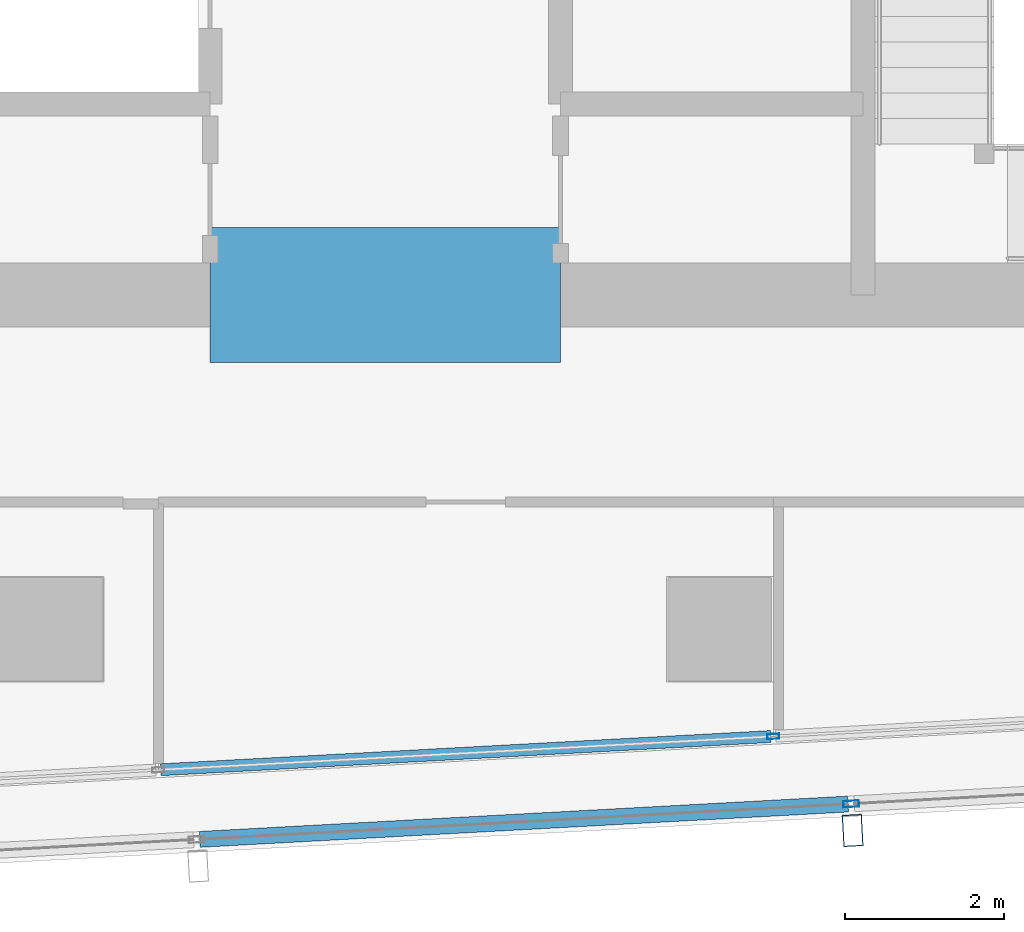
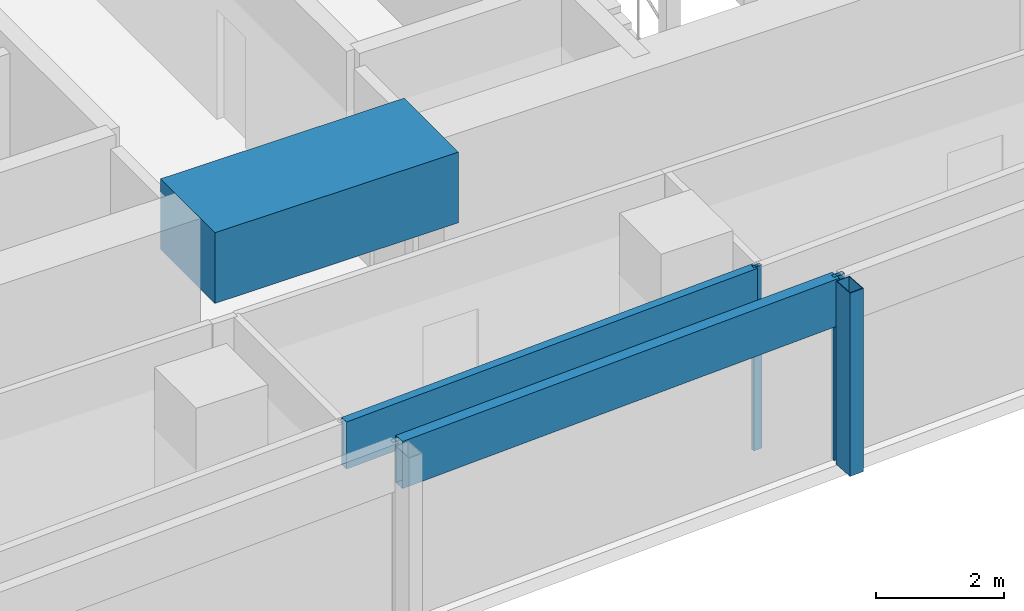
# One storey, part 9 of 26: 5 members, 1 beam, 2 elements without a shape of their own.
"""IFC4 building model written with IfcOpenShell, lengths in metres."""

from ifc_helpers import new_model, si_unit, direction, frame, origin, origin_2d, place, context, subcontext, project, spatial, rectangle, hollow_rectangle, extrude, material, material_profile, profile_set, type_object, element, aggregate, save


model = new_model("IFC4")

# Units and contexts
model_context = context("Model", 3, precision=1e-05, world=origin(), true_north=direction((0.0, 1.0)))
body_context = subcontext(model_context, "Body", "Model", "MODEL_VIEW")
ifc_project = project(units=[si_unit("LENGTHUNIT", "METRE"), si_unit("AREAUNIT", "SQUARE_METRE"), si_unit("VOLUMEUNIT", "CUBIC_METRE"), si_unit("PLANEANGLEUNIT", "RADIAN"), si_unit("MASSUNIT", "GRAM", prefix="KILO")], contexts=[model_context])

# Site, building, storey
site_placement = place(None, origin())
site = spatial("IfcSite", under=ifc_project, at=site_placement, CompositionType="ELEMENT")
building_placement = place(site_placement, origin())
building = spatial("IfcBuilding", under=site, at=building_placement, Name="Rekha Terrace Tower", CompositionType="ELEMENT")
storey_placement = place(building_placement, frame((0.0, 0.0, 283.85009765625)))
storey = spatial("IfcBuildingStorey", under=building, at=storey_placement, Name="L72", CompositionType="ELEMENT", Elevation=283.85009765625)

# Curtain wall, member
ifc_material_1 = material(Name="Aluminium framing", Category="aluminium")
curtain_wall_type_1 = type_object("IfcCurtainWallType", Name="CW2 double skin outer glazing", PredefinedType="USERDEFINED", material=ifc_material_1)
curtain_wall_1_placement = place(storey_placement, origin())
curtain_wall_1 = element("IfcCurtainWall", 1, at=curtain_wall_1_placement, inside=storey, type_object=curtain_wall_type_1, Name="CW2 double skin outer glazing", ObjectType="DOUBLE SKIN OUTER GLAZING", PredefinedType="USERDEFINED")
ifc_material_2 = material(Name="Steel S355 with fluorocarbon finish", Category="steel")
ifc_material_profile_1 = material_profile(ifc_material_2, hollow_rectangle(XDim=0.25, YDim=0.39990234375, WallThickness=0.012451171875, at=origin_2d()), Name="RHS400x250x12.5")
ifc_profile_set_1 = profile_set([ifc_material_profile_1], Name="Steel S355 with fluorocarbon finish")
member_type_1 = type_object("IfcMemberType", Name="BL1 facade blade RHS 400 x 250", PredefinedType="USERDEFINED", material=ifc_profile_set_1)
member_1_placement = place(storey_placement, frame((43.67138671875, 14.271728515625, 0.0), z_axis=(0.0, 0.0, 1.0), x_axis=(0.99851982155, 0.054389024366, 0.0)))
member_1 = element("IfcMember", 2, at=member_1_placement, type_object=member_type_1, Name="Facade blade", ObjectType="FACADE BLADE", PredefinedType="USERDEFINED", context=body_context, shape_type="SweptSolid", body=[
    extrude(hollow_rectangle(XDim=0.25, YDim=0.39990234375, WallThickness=0.012451171875, at=origin_2d()), origin(), (0.0, 0.0, 1.0), 3.5),
])

# Curtain wall, members
curtain_wall_type_2 = type_object("IfcCurtainWallType", Name="CW1 double skin inner glazing", PredefinedType="USERDEFINED", material=ifc_material_1)
curtain_wall_2_placement = place(storey_placement, origin())
curtain_wall_2 = element("IfcCurtainWall", 3, at=curtain_wall_2_placement, inside=storey, type_object=curtain_wall_type_2, Name="CW1 double skin inner glazing", ObjectType="DOUBLE SKIN INNER GLAZING", PredefinedType="USERDEFINED")
ifc_material_3 = material(Name="Aluminium mullion section", Category="aluminium")
ifc_material_profile_2 = material_profile(ifc_material_3, hollow_rectangle(XDim=0.06494140625, YDim=0.14990234375, WallThickness=0.00390625, at=origin_2d()), Name="AL RHS 65x150")
ifc_profile_set_2 = profile_set([ifc_material_profile_2], Name="Aluminium mullion section")
member_type_2 = type_object("IfcMemberType", Name="CW1 mullion RHS 65 x 150", PredefinedType="MULLION", material=ifc_profile_set_2)
member_2_placement = place(storey_placement, frame((42.673583984375, 15.4541015625, 0.0), z_axis=(0.0, 0.0, 1.0), x_axis=(-0.054388903036, 0.998519828159, 0.0)))
member_2 = element("IfcMember", 4, at=member_2_placement, type_object=member_type_2, Name="CW1 mullion 3", PredefinedType="MULLION", context=body_context, shape_type="SweptSolid", body=[
    extrude(hollow_rectangle(XDim=0.06494140625, YDim=0.14990234375, WallThickness=0.00390625, at=origin_2d()), origin(), (0.0, 0.0, 1.0), 3.5),
])
ifc_material_4 = material(Name="Insulated aluminium spandrel box", Category="aluminium")
ifc_material_profile_3 = material_profile(ifc_material_4, hollow_rectangle(XDim=0.14990234375, YDim=0.89990234375, WallThickness=0.0029296875, at=origin_2d()), Name="AL SPANDREL BOX 150x900")
ifc_profile_set_3 = profile_set([ifc_material_profile_3], Name="Insulated aluminium spandrel box")
member_type_3 = type_object("IfcMemberType", Name="CW1 spandrel transom 150 x 900", PredefinedType="USERDEFINED", material=ifc_profile_set_3)
member_3_placement = place(storey_placement, frame((34.980224609375, 15.03515625, 3.0498046875), z_axis=(0.998520172557, 0.054382579907, 0.0), x_axis=(-0.054382579907, 0.998520172557, 0.0)))
member_3 = element("IfcMember", 5, at=member_3_placement, type_object=member_type_3, Name="CW1 spandrel transom 2", ObjectType="TRANSOM", PredefinedType="USERDEFINED", context=body_context, shape_type="SweptSolid", body=[
    extrude(hollow_rectangle(XDim=0.14990234375, YDim=0.89990234375, WallThickness=0.0029296875, at=origin_2d()), origin(), (0.0, 0.0, 1.0), 7.67236328125),
])
aggregate(curtain_wall_2, [member_2, member_3])

# Member
ifc_material_profile_4 = material_profile(ifc_material_3, hollow_rectangle(XDim=0.080078125, YDim=0.199951171875, WallThickness=0.00390625, at=origin_2d()), Name="AL RHS 80x200")
ifc_profile_set_4 = profile_set([ifc_material_profile_4], Name="Aluminium mullion section")
member_type_4 = type_object("IfcMemberType", Name="CW2 mullion RHS 80 x 200", PredefinedType="MULLION", material=ifc_profile_set_4)
member_4_placement = place(storey_placement, frame((43.6533203125, 14.606201171875, 0.0), z_axis=(0.0, 0.0, 1.0), x_axis=(-0.054388903071, 0.998519828157, 0.0)))
member_4 = element("IfcMember", 6, at=member_4_placement, type_object=member_type_4, Name="CW2 mullion 3", PredefinedType="MULLION", context=body_context, shape_type="SweptSolid", body=[
    extrude(hollow_rectangle(XDim=0.080078125, YDim=0.199951171875, WallThickness=0.00390625, at=origin_2d()), origin(), (0.0, 0.0, 1.0), 3.5),
])

ifc_material_profile_5 = material_profile(ifc_material_4, hollow_rectangle(XDim=0.199951171875, YDim=0.89990234375, WallThickness=0.0029296875, at=origin_2d()), Name="AL SPANDREL BOX 200x900")
ifc_profile_set_5 = profile_set([ifc_material_profile_5], Name="Insulated aluminium spandrel box")
member_type_5 = type_object("IfcMemberType", Name="CW2 spandrel transom 200 x 900", PredefinedType="USERDEFINED", material=ifc_profile_set_5)
member_5_placement = place(storey_placement, frame((35.469970703125, 14.160400390625, 3.0498046875), z_axis=(0.998519553524, 0.054393944798, 0.0), x_axis=(-0.054393944798, 0.998519553524, 0.0)))
member_5 = element("IfcMember", 7, at=member_5_placement, type_object=member_type_5, Name="CW2 spandrel transom 2", ObjectType="TRANSOM", PredefinedType="USERDEFINED", context=body_context, shape_type="SweptSolid", body=[
    extrude(hollow_rectangle(XDim=0.199951171875, YDim=0.89990234375, WallThickness=0.0029296875, at=origin_2d()), origin(), (0.0, 0.0, 1.0), 8.1552734375),
])

aggregate(curtain_wall_1, [member_4, member_5, member_1])

# Beam
ifc_material_5 = material(Name="Concrete M60", Category="concrete")
ifc_material_profile_6 = material_profile(ifc_material_5, rectangle(XDim=1.699951171875, YDim=1.35009765625, at=origin_2d()), Name="RC 1700x1350")
ifc_profile_set_6 = profile_set([ifc_material_profile_6], Name="Concrete M60")
beam_type = type_object("IfcBeamType", Name="LB5A 1700x1350 diagonally reinforced coupling beam", PredefinedType="LINTEL", material=ifc_profile_set_6)
beam_placement = place(storey_placement, frame((35.60009765625, 21.0, 3.074951171875), z_axis=(1.0, 0.0, 0.0), x_axis=(0.0, 1.0, 0.0)))
element("IfcBeam", 8, at=beam_placement, inside=storey, type_object=beam_type, Name="Coupling beam LB5A S L72", PredefinedType="LINTEL", context=body_context, shape_type="SweptSolid", body=[
    extrude(rectangle(XDim=1.699951171875, YDim=1.35009765625, at=origin_2d()), origin(), (0.0, 0.0, 1.0), 4.39990234375),
])

save(model, "model.ifc")
